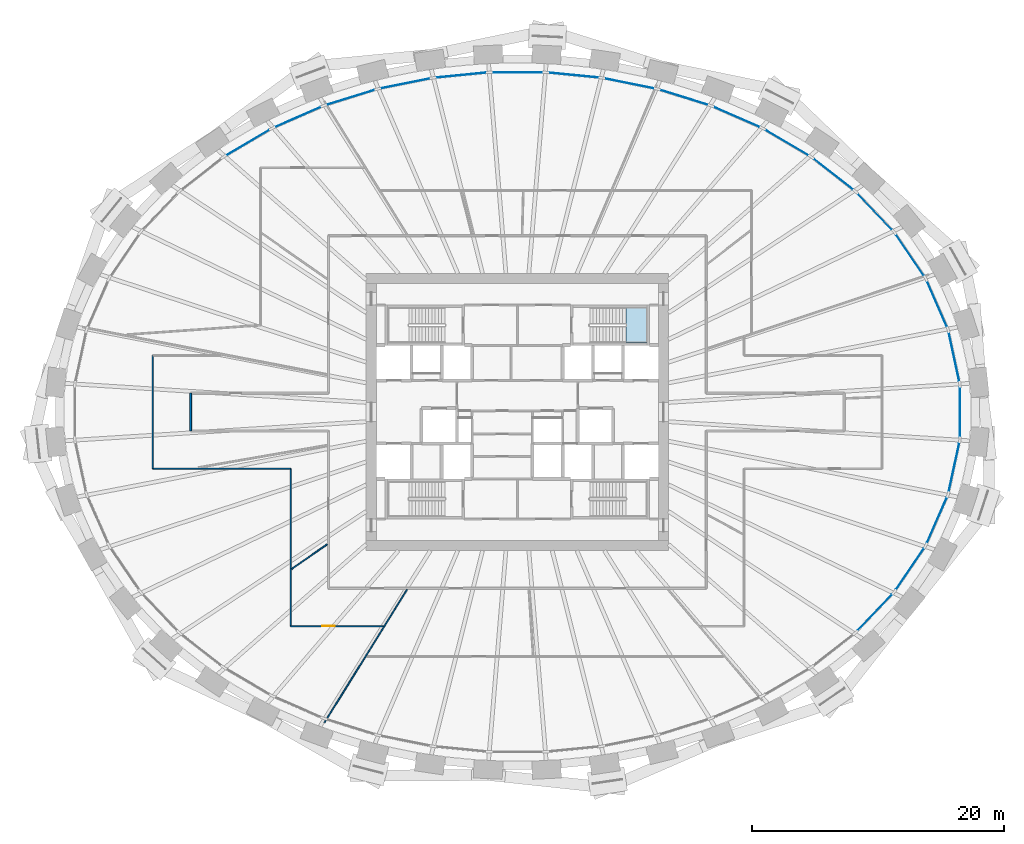
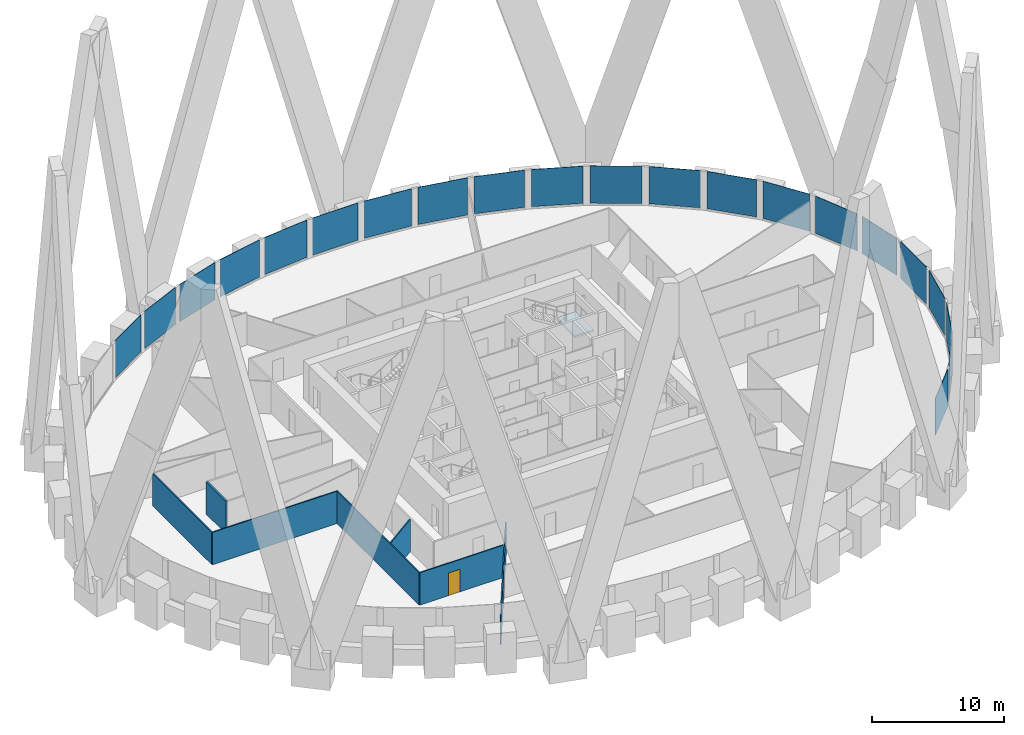
# One storey, part 6 of 12: 21 plates, 7 walls, 1 door, 1 slab, 1 opening, 2 elements without a shape of their own.
"""IFC4 building model written with IfcOpenShell, lengths in metres."""

from ifc_helpers import new_model, si_unit, direction, frame, frame_2d, origin, origin_2d, place, context, subcontext, project, spatial, polyline, rectangle, outline, extrude, source, transform, mapped, material, layer, layer_set, type_object, element, fill, aggregate, save


model = new_model("IFC4")

# Units and contexts
model_context = context("Model", 3, precision=1e-05, world=origin(), true_north=direction((0.0, 1.0)))
body_context = subcontext(model_context, "Body", "Model", "MODEL_VIEW")
ifc_project = project(units=[si_unit("LENGTHUNIT", "METRE"), si_unit("AREAUNIT", "SQUARE_METRE"), si_unit("VOLUMEUNIT", "CUBIC_METRE"), si_unit("PLANEANGLEUNIT", "RADIAN"), si_unit("MASSUNIT", "GRAM", prefix="KILO")], contexts=[model_context])

# Site, building, storey
site_placement = place(None, origin())
site = spatial("IfcSite", under=ifc_project, at=site_placement, CompositionType="ELEMENT")
building_placement = place(site_placement, origin())
building = spatial("IfcBuilding", under=site, at=building_placement, Name="Embergate Tower", CompositionType="ELEMENT")
storey_placement = place(building_placement, frame((0.0, 0.0, 191.10009765625)))
storey = spatial("IfcBuildingStorey", under=building, at=storey_placement, Name="L43", CompositionType="ELEMENT", Elevation=191.10009765625)

# Curtain wall, plates
ifc_material_1 = material(Name="Aluminium and glass", Category="aluminium")
curtain_wall_type = type_object("IfcCurtainWallType", Name="Recessed office glazing", PredefinedType="NOTDEFINED", material=ifc_material_1)
curtain_wall_placement = place(storey_placement, origin())
curtain_wall = element("IfcCurtainWall", 1, at=curtain_wall_placement, inside=storey, type_object=curtain_wall_type, Name="Recessed office glazing ring", ObjectType="RECESSED OFFICE GLAZING", PredefinedType="USERDEFINED")
ifc_material_2 = material(Name="Triple glazing, low-emissivity coating", Category="glass")
ifc_layer_1 = layer(ifc_material_2, 0.035888671875)
ifc_layer_set_1 = layer_set([ifc_layer_1], Name="Triple glazing, low-emissivity coating")
plate_type = type_object("IfcPlateType", Name="Office glazing unit", PredefinedType="CURTAIN_PANEL", material=ifc_layer_set_1)
shared_shape_1 = source(origin(), body_context, "Body", "SweptSolid", [
    extrude(rectangle(XDim=3.91259765625, YDim=0.035888671875, at=origin_2d()), origin(), (0.0, 0.0, 1.0), 3.449951171875),
])
plate_1_placement = place(storey_placement, frame((34.669921875, 4.381591796875, 0.14990234375), z_axis=(0.0, 0.0, 1.0), x_axis=(-0.210400097438, 0.977615363524, 0.0)))
plate_1 = element("IfcPlate", 2, at=plate_1_placement, type_object=plate_type, Name="CW panel 1.1", PredefinedType="CURTAIN_PANEL", context=body_context, shape_type="MappedRepresentation", body=[
    mapped(shared_shape_1, transform((0.0, 0.0, 0.0))),
])
plate_2_placement = place(storey_placement, frame((34.669921875, -4.381591796875, 0.14990234375), z_axis=(0.0, 0.0, 1.0), x_axis=(0.210400097438, 0.977615363524, 0.0)))
plate_2 = element("IfcPlate", 3, at=plate_2_placement, type_object=plate_type, Name="CW panel 43.1", PredefinedType="CURTAIN_PANEL", context=body_context, shape_type="MappedRepresentation", body=[
    mapped(shared_shape_1, transform((0.0, 0.0, 0.0))),
])
shared_shape_2 = source(origin(), body_context, "Body", "SweptSolid", [
    extrude(rectangle(XDim=3.919677734375, YDim=0.035888671875, at=origin_2d()), origin(), (0.0, 0.0, 1.0), 3.449951171875),
])
plate_3_placement = place(storey_placement, frame((33.31201171875, 8.581298828125, 0.14990234375), z_axis=(0.0, 0.0, 1.0), x_axis=(-0.401655297873, 0.915790926844, 0.0)))
plate_3 = element("IfcPlate", 4, at=plate_3_placement, type_object=plate_type, Name="CW panel 2.1", PredefinedType="CURTAIN_PANEL", context=body_context, shape_type="MappedRepresentation", body=[
    mapped(shared_shape_2, transform((0.0, 0.0, 0.0))),
])
plate_4_placement = place(storey_placement, frame((33.31201171875, -8.581298828125, 0.14990234375), z_axis=(0.0, 0.0, 1.0), x_axis=(0.401655297873, 0.915790926844, 0.0)))
plate_4 = element("IfcPlate", 5, at=plate_4_placement, type_object=plate_type, Name="CW panel 42.1", PredefinedType="CURTAIN_PANEL", context=body_context, shape_type="MappedRepresentation", body=[
    mapped(shared_shape_2, transform((0.0, 0.0, 0.0))),
])
shared_shape_3 = source(origin(), body_context, "Body", "SweptSolid", [
    extrude(rectangle(XDim=3.928466796875, YDim=0.035888671875, at=origin_2d()), origin(), (0.0, 0.0, 1.0), 3.449951171875),
])
plate_5_placement = place(storey_placement, frame((31.169677734375, 12.453369140625, 0.14990234375), z_axis=(0.0, 0.0, 1.0), x_axis=(-0.562344628355, 0.826902968286, 0.0)))
plate_5 = element("IfcPlate", 6, at=plate_5_placement, type_object=plate_type, Name="CW panel 3.1", PredefinedType="CURTAIN_PANEL", context=body_context, shape_type="MappedRepresentation", body=[
    mapped(shared_shape_3, transform((0.0, 0.0, 0.0))),
])
plate_6_placement = place(storey_placement, frame((31.169677734375, -12.453369140625, 0.14990234375), z_axis=(0.0, 0.0, 1.0), x_axis=(0.562344628355, 0.826902968286, 0.0)))
plate_6 = element("IfcPlate", 7, at=plate_6_placement, type_object=plate_type, Name="CW panel 41.1", PredefinedType="CURTAIN_PANEL", context=body_context, shape_type="MappedRepresentation", body=[
    mapped(shared_shape_3, transform((0.0, 0.0, 0.0))),
])
shared_shape_4 = source(origin(), body_context, "Body", "SweptSolid", [
    extrude(rectangle(XDim=3.93701171875, YDim=0.035888671875, at=origin_2d()), origin(), (0.0, 0.0, 1.0), 3.449951171875),
])
plate_7_placement = place(storey_placement, frame((28.381103515625, 15.9052734375, 0.14990234375), z_axis=(0.0, 0.0, 1.0), x_axis=(-0.690137573644, 0.723678194673, 0.0)))
plate_7 = element("IfcPlate", 8, at=plate_7_placement, type_object=plate_type, Name="CW panel 4.1", PredefinedType="CURTAIN_PANEL", context=body_context, shape_type="MappedRepresentation", body=[
    mapped(shared_shape_4, transform((0.0, 0.0, 0.0))),
])
plate_8_placement = place(storey_placement, frame((28.381103515625, -15.9052734375, 0.14990234375), z_axis=(0.0, 0.0, 1.0), x_axis=(0.690137573644, 0.723678194673, 0.0)))
plate_8 = element("IfcPlate", 9, at=plate_8_placement, type_object=plate_type, Name="CW panel 40.1", PredefinedType="CURTAIN_PANEL", context=body_context, shape_type="MappedRepresentation", body=[
    mapped(shared_shape_4, transform((0.0, 0.0, 0.0))),
])
shared_shape_5 = source(origin(), body_context, "Body", "SweptSolid", [
    extrude(rectangle(XDim=3.9443359375, YDim=0.035888671875, at=origin_2d()), origin(), (0.0, 0.0, 1.0), 3.449951171875),
])
plate_9_placement = place(storey_placement, frame((25.083251953125, 18.891357421875, 0.14990234375), z_axis=(0.0, 0.0, 1.0), x_axis=(-0.788322266931, 0.615262548398, 0.0)))
plate_9 = element("IfcPlate", 10, at=plate_9_placement, type_object=plate_type, Name="CW panel 5.1", PredefinedType="CURTAIN_PANEL", context=body_context, shape_type="MappedRepresentation", body=[
    mapped(shared_shape_5, transform((0.0, 0.0, 0.0))),
])
shared_shape_6 = source(origin(), body_context, "Body", "SweptSolid", [
    extrude(rectangle(XDim=3.950439453125, YDim=0.035888671875, at=origin_2d()), origin(), (0.0, 0.0, 1.0), 3.449951171875),
])
plate_10_placement = place(storey_placement, frame((21.396728515625, 21.397705078125, 0.14990234375), z_axis=(0.0, 0.0, 1.0), x_axis=(-0.862054052374, 0.506816348183, 0.0)))
plate_10 = element("IfcPlate", 11, at=plate_10_placement, type_object=plate_type, Name="CW panel 6.1", PredefinedType="CURTAIN_PANEL", context=body_context, shape_type="MappedRepresentation", body=[
    mapped(shared_shape_6, transform((0.0, 0.0, 0.0))),
])
plate_11_placement = place(storey_placement, frame((-21.396728515625, 21.397705078125, 0.14990234375), z_axis=(0.0, 0.0, 1.0), x_axis=(-0.862054052374, -0.506816348183, 0.0)))
plate_11 = element("IfcPlate", 12, at=plate_11_placement, type_object=plate_type, Name="CW panel 16.1", PredefinedType="CURTAIN_PANEL", context=body_context, shape_type="MappedRepresentation", body=[
    mapped(shared_shape_6, transform((0.0, 0.0, 0.0))),
])
shared_shape_7 = source(origin(), body_context, "Body", "SweptSolid", [
    extrude(rectangle(XDim=3.954833984375, YDim=0.035888671875, at=origin_2d()), origin(), (0.0, 0.0, 1.0), 3.449951171875),
])
plate_12_placement = place(storey_placement, frame((17.419921875, 23.427001953125, 0.14990234375), z_axis=(0.0, 0.0, 1.0), x_axis=(-0.916236910986, 0.400636896638, 0.0)))
plate_12 = element("IfcPlate", 13, at=plate_12_placement, type_object=plate_type, Name="CW panel 7.1", PredefinedType="CURTAIN_PANEL", context=body_context, shape_type="MappedRepresentation", body=[
    mapped(shared_shape_7, transform((0.0, 0.0, 0.0))),
])
plate_13_placement = place(storey_placement, frame((-17.419921875, 23.427001953125, 0.14990234375), z_axis=(0.0, 0.0, 1.0), x_axis=(-0.916236910986, -0.400636896638, 0.0)))
plate_13 = element("IfcPlate", 14, at=plate_13_placement, type_object=plate_type, Name="CW panel 15.1", PredefinedType="CURTAIN_PANEL", context=body_context, shape_type="MappedRepresentation", body=[
    mapped(shared_shape_7, transform((0.0, 0.0, 0.0))),
])
shared_shape_8 = source(origin(), body_context, "Body", "SweptSolid", [
    extrude(rectangle(XDim=3.958251953125, YDim=0.035888671875, at=origin_2d()), origin(), (0.0, 0.0, 1.0), 3.449951171875),
])
plate_14_placement = place(storey_placement, frame((13.23193359375, 24.989013671875, 0.14990234375), z_axis=(0.0, 0.0, 1.0), x_axis=(-0.954772736126, 0.297336547283, 0.0)))
plate_14 = element("IfcPlate", 15, at=plate_14_placement, type_object=plate_type, Name="CW panel 8.1", PredefinedType="CURTAIN_PANEL", context=body_context, shape_type="MappedRepresentation", body=[
    mapped(shared_shape_8, transform((0.0, 0.0, 0.0))),
])
plate_15_placement = place(storey_placement, frame((-13.23193359375, 24.989013671875, 0.14990234375), z_axis=(0.0, 0.0, 1.0), x_axis=(-0.954772736126, -0.297336547283, 0.0)))
plate_15 = element("IfcPlate", 16, at=plate_15_placement, type_object=plate_type, Name="CW panel 14.1", PredefinedType="CURTAIN_PANEL", context=body_context, shape_type="MappedRepresentation", body=[
    mapped(shared_shape_8, transform((0.0, 0.0, 0.0))),
])
shared_shape_9 = source(origin(), body_context, "Body", "SweptSolid", [
    extrude(rectangle(XDim=3.96044921875, YDim=0.035888671875, at=origin_2d()), origin(), (0.0, 0.0, 1.0), 3.449951171875),
])
plate_16_placement = place(storey_placement, frame((8.897705078125, 26.09521484375, 0.14990234375), z_axis=(0.0, 0.0, 1.0), x_axis=(-0.980475907409, 0.196639250889, 0.0)))
plate_16 = element("IfcPlate", 17, at=plate_16_placement, type_object=plate_type, Name="CW panel 9.1", PredefinedType="CURTAIN_PANEL", context=body_context, shape_type="MappedRepresentation", body=[
    mapped(shared_shape_9, transform((0.0, 0.0, 0.0))),
])
plate_17_placement = place(storey_placement, frame((-8.897705078125, 26.09521484375, 0.14990234375), z_axis=(0.0, 0.0, 1.0), x_axis=(-0.980475907409, -0.196639250889, 0.0)))
plate_17 = element("IfcPlate", 18, at=plate_17_placement, type_object=plate_type, Name="CW panel 13.1", PredefinedType="CURTAIN_PANEL", context=body_context, shape_type="MappedRepresentation", body=[
    mapped(shared_shape_9, transform((0.0, 0.0, 0.0))),
])
shared_shape_10 = source(origin(), body_context, "Body", "SweptSolid", [
    extrude(rectangle(XDim=3.961669921875, YDim=0.035888671875, at=origin_2d()), origin(), (0.0, 0.0, 1.0), 3.449951171875),
])
plate_18_placement = place(storey_placement, frame((4.47119140625, 26.755126953125, 0.14990234375), z_axis=(0.0, 0.0, 1.0), x_axis=(-0.995203184788, 0.097829550688, 0.0)))
plate_18 = element("IfcPlate", 19, at=plate_18_placement, type_object=plate_type, Name="CW panel 10.1", PredefinedType="CURTAIN_PANEL", context=body_context, shape_type="MappedRepresentation", body=[
    mapped(shared_shape_10, transform((0.0, 0.0, 0.0))),
])
plate_19_placement = place(storey_placement, frame((-4.47119140625, 26.755126953125, 0.14990234375), z_axis=(0.0, 0.0, 1.0), x_axis=(-0.995203184788, -0.097829550688, 0.0)))
plate_19 = element("IfcPlate", 20, at=plate_19_placement, type_object=plate_type, Name="CW panel 12.1", PredefinedType="CURTAIN_PANEL", context=body_context, shape_type="MappedRepresentation", body=[
    mapped(shared_shape_10, transform((0.0, 0.0, 0.0))),
])
shared_shape_11 = source(origin(), body_context, "Body", "SweptSolid", [
    extrude(rectangle(XDim=3.962158203125, YDim=0.035888671875, at=origin_2d()), origin(), (0.0, 0.0, 1.0), 3.449951171875),
])
plate_20_placement = place(storey_placement, frame((0.0, 26.974365234375, 0.14990234375), z_axis=(0.0, 0.0, 1.0), x_axis=(-1.0, 0.0, 0.0)))
plate_20 = element("IfcPlate", 21, at=plate_20_placement, type_object=plate_type, Name="CW panel 11.1", PredefinedType="CURTAIN_PANEL", context=body_context, shape_type="MappedRepresentation", body=[
    mapped(shared_shape_11, transform((0.0, 0.0, 0.0))),
])
shared_shape_12 = source(origin(), body_context, "Body", "SweptSolid", [
    extrude(rectangle(XDim=3.909912109375, YDim=0.035888671875, at=origin_2d()), origin(), (0.0, 0.0, 1.0), 3.449951171875),
])
plate_21_placement = place(storey_placement, frame((35.13623046875, 0.0, 0.14990234375), z_axis=(0.0, 0.0, 1.0), x_axis=(0.0, 1.0, 0.0)))
plate_21 = element("IfcPlate", 22, at=plate_21_placement, type_object=plate_type, Name="CW panel 44.1", PredefinedType="CURTAIN_PANEL", context=body_context, shape_type="MappedRepresentation", body=[
    mapped(shared_shape_12, transform((0.0, 0.0, 0.0))),
])
aggregate(curtain_wall, [plate_1, plate_3, plate_5, plate_7, plate_9, plate_10, plate_12, plate_14, plate_16, plate_18, plate_20, plate_19, plate_17, plate_15, plate_13, plate_11, plate_8, plate_6, plate_4, plate_2, plate_21])

# Stair, slab
ifc_material_3 = material(Name="Exit stair")
stair_type = type_object("IfcStairType", Name="Exit stair", PredefinedType="HALF_TURN_STAIR", material=ifc_material_3)
stair_placement = place(storey_placement, origin())
stair = element("IfcStair", 23, at=stair_placement, inside=storey, type_object=stair_type, Name="L43 Exit stair 2", PredefinedType="HALF_TURN_STAIR")
ifc_material_4 = material(Name="Concrete C40", Category="concrete")
ifc_layer_2 = layer(ifc_material_4, 0.199951171875)
ifc_layer_set_2 = layer_set([ifc_layer_2], Name="Concrete C40")
slab_type = type_object("IfcSlabType", Name="Stair landing reinforced concrete", PredefinedType="LANDING", material=ifc_layer_set_2)
shared_shape_13 = source(origin(), body_context, "Body", "SweptSolid", [
    extrude(outline(polyline([(0.0, 0.0), (1.68994140625, 0.0), (1.68994140625, 2.800048828125), (0.0, 2.800048828125), (0.0, 0.0)])), origin(), (0.0, 0.0, 1.0), 0.199951171875),
])
slab_placement = place(storey_placement, frame((8.610107421875, 5.5, 1.75)))
slab = element("IfcSlab", 24, at=slab_placement, type_object=slab_type, Name="ST2 landing 1", PredefinedType="LANDING", context=body_context, shape_type="MappedRepresentation", body=[
    mapped(shared_shape_13, transform((0.0, 0.0, 0.0))),
])
aggregate(stair, [slab])

# Walls
ifc_material_5 = material(Name="Corridor wall dry-lined 150")
ifc_layer_3 = layer(ifc_material_5, 0.14990234375)
ifc_layer_set_3 = layer_set([ifc_layer_3], Name="Corridor wall dry-lined 150")
wall_type_1 = type_object("IfcWallType", Name="Corridor wall dry-lined 150", PredefinedType="PARTITIONING", material=ifc_layer_set_3)
shared_shape_14 = source(origin(), body_context, "Body", "SweptSolid", [
    extrude(rectangle(XDim=3.0, YDim=0.14990234375, at=frame_2d((1.5, 0.0))), origin(), (0.0, 0.0, 1.0), 3.0),
])
wall_1_placement = place(storey_placement, frame((-25.949951171875, -1.5, 0.0), z_axis=(0.0, 0.0, 1.0), x_axis=(0.0, 1.0, 0.0)))
element("IfcWall", 25, at=wall_1_placement, inside=storey, type_object=wall_type_1, Name="IP-2 wall", PredefinedType="PARTITIONING", context=body_context, shape_type="MappedRepresentation", body=[
    mapped(shared_shape_14, transform((0.0, 0.0, 0.0))),
])
ifc_material_6 = material(Name="Partition dry-lined 100")
ifc_layer_4 = layer(ifc_material_6, 0.10009765625)
ifc_layer_set_4 = layer_set([ifc_layer_4], Name="Partition dry-lined 100")
wall_type_2 = type_object("IfcWallType", Name="Partition dry-lined 100", PredefinedType="PARTITIONING", material=ifc_layer_set_4)
shared_shape_15 = source(origin(), body_context, "Body", "SweptSolid", [
    extrude(rectangle(XDim=12.42578125, YDim=0.10009765625, at=frame_2d((6.212890625, 0.0))), origin(), (0.0, 0.0, 1.0), 2.699951171875),
])
wall_2_placement = place(storey_placement, frame((-8.760009765625, -14.10107421875, 0.0), z_axis=(0.0, 0.0, 1.0), x_axis=(-0.527685134625, -0.849440050089, 0.0)))
element("IfcWall", 26, at=wall_2_placement, inside=storey, type_object=wall_type_2, Name="IP-1 wall", PredefinedType="PARTITIONING", context=body_context, shape_type="MappedRepresentation", body=[
    mapped(shared_shape_15, transform((0.0, 0.0, 0.0))),
])
shared_shape_16 = source(origin(), body_context, "Body", "SweptSolid", [
    extrude(rectangle(XDim=12.5, YDim=0.10009765625, at=frame_2d((6.25, 0.0))), origin(), (0.0, 0.0, 1.0), 3.0),
])
wall_3_placement = place(storey_placement, frame((-18.0, -17.0, 0.0), z_axis=(0.0, 0.0, 1.0), x_axis=(0.0, 1.0, 0.0)))
element("IfcWall", 27, at=wall_3_placement, inside=storey, type_object=wall_type_2, Name="IP-1 wall", PredefinedType="PARTITIONING", context=body_context, shape_type="MappedRepresentation", body=[
    mapped(shared_shape_16, transform((0.0, 0.0, 0.0))),
])
shared_shape_17 = source(origin(), body_context, "Body", "SweptSolid", [
    extrude(rectangle(XDim=9.0, YDim=0.10009765625, at=frame_2d((4.5, 0.0))), origin(), (0.0, 0.0, 1.0), 3.0),
])
wall_4_placement = place(storey_placement, frame((-28.949951171875, -4.5, 0.0), z_axis=(0.0, 0.0, 1.0), x_axis=(0.0, 1.0, 0.0)))
element("IfcWall", 28, at=wall_4_placement, inside=storey, type_object=wall_type_2, Name="IP-1 wall", PredefinedType="PARTITIONING", context=body_context, shape_type="MappedRepresentation", body=[
    mapped(shared_shape_17, transform((0.0, 0.0, 0.0))),
])
shared_shape_18 = source(origin(), body_context, "Body", "SweptSolid", [
    extrude(rectangle(XDim=10.949951171875, YDim=0.10009765625, at=frame_2d((5.47509765625, 0.0))), origin(), (0.0, 0.0, 1.0), 3.0),
])
wall_5_placement = place(storey_placement, frame((-18.0, -4.5, 0.0), z_axis=(0.0, 0.0, 1.0), x_axis=(-1.0, 0.0, 0.0)))
element("IfcWall", 29, at=wall_5_placement, inside=storey, type_object=wall_type_2, Name="IP-1 wall", PredefinedType="PARTITIONING", context=body_context, shape_type="MappedRepresentation", body=[
    mapped(shared_shape_18, transform((0.0, 0.0, 0.0))),
])
shared_shape_19 = source(origin(), body_context, "Body", "SweptSolid", [
    extrude(rectangle(XDim=3.43212890625, YDim=0.10009765625, at=frame_2d((1.716064453125, 0.0))), origin(), (0.0, 0.0, 1.0), 3.0),
])
wall_6_placement = place(storey_placement, frame((-15.10400390625, -10.501953125, 0.0), z_axis=(0.0, 0.0, 1.0), x_axis=(-0.821102335103, -0.570781004667, 0.0)))
element("IfcWall", 30, at=wall_6_placement, inside=storey, type_object=wall_type_2, Name="IP-1 wall", PredefinedType="PARTITIONING", context=body_context, shape_type="MappedRepresentation", body=[
    mapped(shared_shape_19, transform((0.0, 0.0, 0.0))),
])

# Wall, opening, door
shared_shape_20 = source(origin(), body_context, "Body", "SweptSolid", [
    extrude(rectangle(XDim=7.34912109375, YDim=0.10009765625, at=frame_2d((3.674560546875, 0.0))), origin(), (0.0, 0.0, 1.0), 3.0),
])
wall_7_placement = place(storey_placement, frame((-18.0, -17.0, 0.0), z_axis=(0.0, 0.0, 1.0), x_axis=(1.0, 0.0, 0.0)))
wall_7 = element("IfcWall", 31, at=wall_7_placement, inside=storey, type_object=wall_type_2, Name="IP-1 wall", PredefinedType="PARTITIONING", context=body_context, shape_type="MappedRepresentation", body=[
    mapped(shared_shape_20, transform((0.0, 0.0, 0.0))),
])
shared_shape_21 = source(origin(), body_context, "Body", "SweptSolid", [
    extrude(rectangle(XDim=1.0, YDim=2.10009765625, at=frame_2d((0.5, 1.050048828125))), frame((0.0, 0.06005859375, 0.0), z_axis=(0.0, -1.0, 0.0), x_axis=(1.0, 0.0, 0.0)), (0.0, 0.0, 1.0), 0.1201171875),
])
opening_placement = place(wall_7_placement, frame((2.51904296875, 0.0, 0.0)))
opening = element("IfcOpeningElement", 32, at=opening_placement, cuts=wall_7, Name="Opening ID-2", PredefinedType="OPENING", context=body_context, shape_type="MappedRepresentation", body=[
    mapped(shared_shape_21, transform((0.0, 0.0, 0.0))),
])
ifc_material_7 = material(Name="Interior door 1000")
door_type = type_object("IfcDoorType", Name="Interior door 1000", OperationType="SINGLE_SWING_LEFT", PredefinedType="DOOR", material=ifc_material_7)
shared_shape_22 = source(origin(), body_context, "Body", "SweptSolid", [
    extrude(rectangle(XDim=1.0, YDim=2.10009765625, at=frame_2d((0.5, 1.050048828125))), frame((0.0, 0.02490234375, 0.0), z_axis=(0.0, -1.0, 0.0), x_axis=(1.0, 0.0, 0.0)), (0.0, 0.0, 1.0), 0.050048828125),
])
door_placement = place(opening_placement, origin())
door = element("IfcDoor", 33, at=door_placement, inside=storey, type_object=door_type, Name="ID-2 door", OperationType="SINGLE_SWING_LEFT", OverallHeight=2.10009765625, OverallWidth=1.0, PredefinedType="DOOR", context=body_context, shape_type="MappedRepresentation", body=[
    mapped(shared_shape_22, transform((0.0, 0.0, 0.0))),
])
fill(opening, door)

save(model, "model.ifc")
